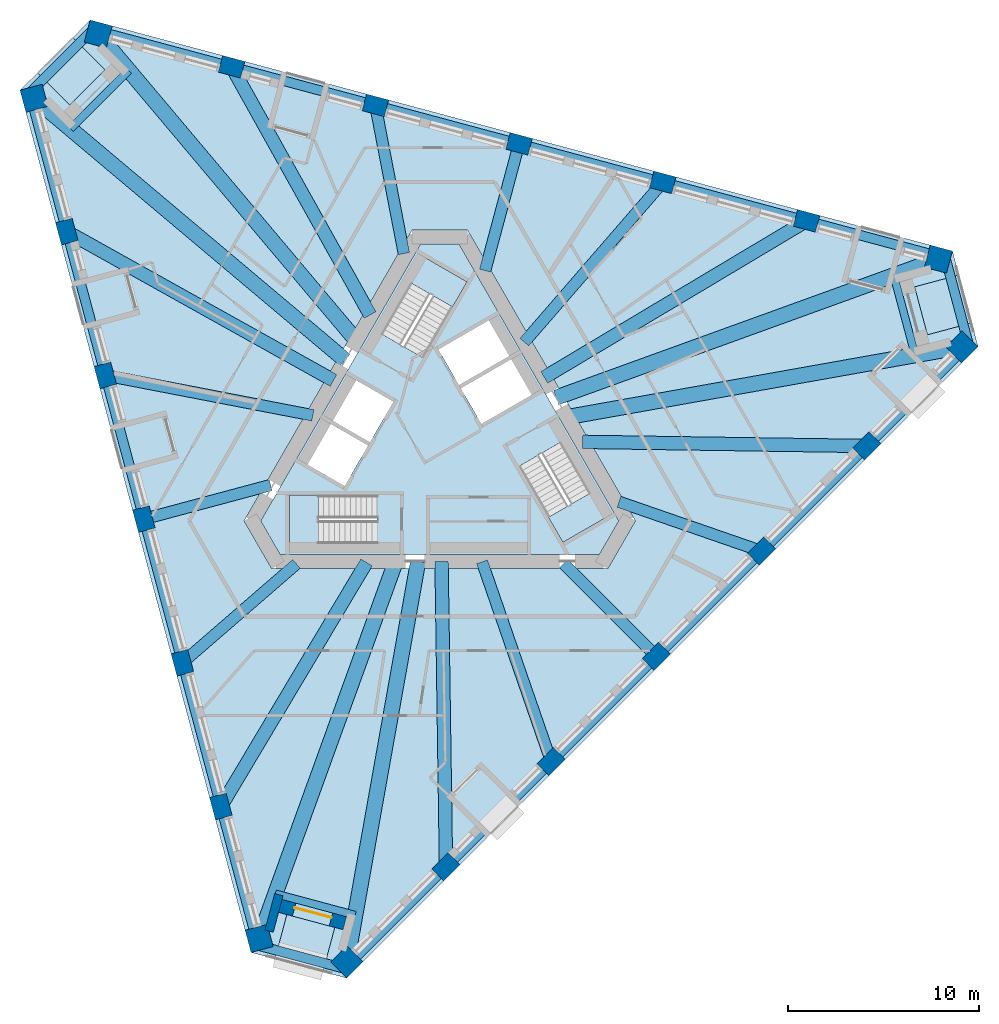
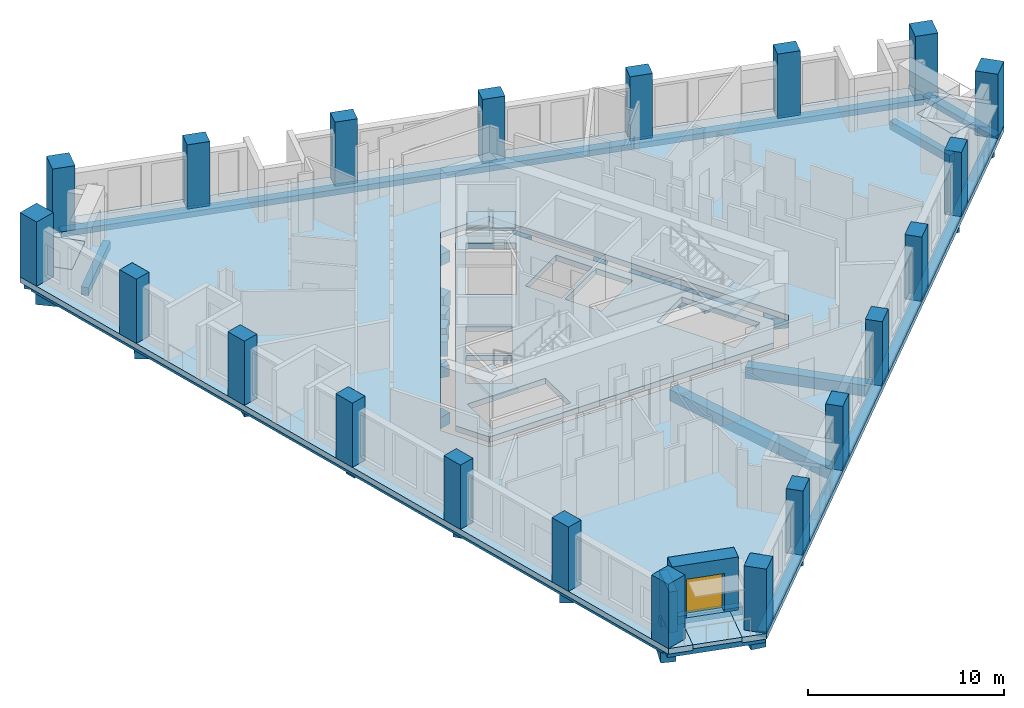
# One storey, part 1 of 13: 30 beams, 21 columns, 8 slabs, 2 walls, 1 door, 1 opening, 3 elements without a shape of their own.
"""IFC4 building model written with IfcOpenShell, lengths in metres."""

from ifc_helpers import new_model, si_unit, direction, frame, frame_2d, origin, origin_2d, place, context, subcontext, project, spatial, polyline, rectangle, outline, extrude, material, layer, layer_set, material_profile, profile_set, type_object, element, fill, aggregate, save


model = new_model("IFC4")

# Units and contexts
model_context = context("Model", 3, precision=1e-05, world=origin(), true_north=direction((0.0, 1.0)))
body_context = subcontext(model_context, "Body", "Model", "MODEL_VIEW")
ifc_project = project(units=[si_unit("LENGTHUNIT", "METRE"), si_unit("AREAUNIT", "SQUARE_METRE"), si_unit("VOLUMEUNIT", "CUBIC_METRE"), si_unit("PLANEANGLEUNIT", "RADIAN"), si_unit("MASSUNIT", "GRAM", prefix="KILO")], contexts=[model_context])

# Site, building, storey
site_placement = place(None, origin())
site = spatial("IfcSite", under=ifc_project, at=site_placement, CompositionType="ELEMENT")
building_placement = place(site_placement, origin())
building = spatial("IfcBuilding", under=site, at=building_placement, Name="Tramontana Tower", CompositionType="ELEMENT")
storey_placement = place(building_placement, frame((0.0, 0.0, 228.0)))
storey = spatial("IfcBuildingStorey", under=building, at=storey_placement, Name="L53", CompositionType="ELEMENT", Elevation=228.0)

# Columns
ifc_material_1 = material(Name="Concrete 55 MPa", Category="concrete")
ifc_material_profile_1 = material_profile(ifc_material_1, rectangle(XDim=1.199951171875, YDim=1.199951171875, at=origin_2d()), Name="Mega column 1200X1200 55 MPa")
ifc_profile_set_1 = profile_set([ifc_material_profile_1], Name="Concrete 55 MPa")
column_type_1 = type_object("IfcColumnType", Name="Mega column 1200X1200 55 MPa", PredefinedType="COLUMN", material=ifc_profile_set_1)
for number, where, z_axis, x_axis, name in (
    (1, (-21.2548828125, 17.89111328125, 0.0), (0.0, 0.0, 1.0), (0.258819045103, -0.965925826289, 0.0), "Mega column C5K1 L53"),
    (2, (-9.461669921875, -26.12158203125, 0.0), (0.0, 0.0, 1.0), (0.258819045103, -0.965925826289, 0.0), "Mega column C5K2 L53"),
    (3, (-4.86669921875, -27.352783203125, 0.0), (0.0, 0.0, 1.0), (0.707106781187, 0.707106781187, 0.0), "Mega column C5K3 L53"),
    (4, (27.352783203125, 4.86669921875, 0.0), (0.0, 0.0, 1.0), (0.707106781187, 0.707106781187, 0.0), "Mega column C5K4 L53"),
    (5, (26.12158203125, 9.461669921875, 0.0), (0.0, 0.0, 1.0), (-0.965925826289, 0.258819045103, 0.0), "Mega column C5K5 L53"),
    (6, (-17.89111328125, 21.2548828125, 0.0), (0.0, 0.0, 1.0), (-0.965925826289, 0.258819045103, 0.0), "Mega column C5K6 L53"),
):
    element("IfcColumn", number, at=place(storey_placement, frame(where, z_axis=z_axis, x_axis=x_axis)), inside=storey, type_object=column_type_1, Name=name, PredefinedType="COLUMN", context=body_context, shape_type="SweptSolid", body=[
        extrude(rectangle(XDim=1.199951171875, YDim=1.199951171875, at=origin_2d()), origin(), (0.0, 0.0, 1.0), 4.0),
    ])
ifc_material_2 = material(Name="Concrete 55 MPa", Category="concrete")
ifc_material_profile_2 = material_profile(ifc_material_2, rectangle(XDim=1.199951171875, YDim=0.89990234375, at=origin_2d()), Name="Pier column 1200X900 55 MPa")
ifc_profile_set_2 = profile_set([ifc_material_profile_2], Name="Concrete 55 MPa")
column_type_2 = type_object("IfcColumnType", Name="Pier column 1200X900 55 MPa", PredefinedType="COLUMN", material=ifc_profile_set_2)
for number, where, z_axis, x_axis, name in (
    (7, (-19.53759765625, 10.9033203125, 0.0), (0.0, 0.0, 1.0), (0.258819045103, -0.965925826289, 0.0), "Pier column C5F01 L53"),
    (8, (-17.5205078125, 3.37451171875, 0.0), (0.0, 0.0, 1.0), (0.258819045103, -0.965925826289, 0.0), "Pier column C5F02 L53"),
    (9, (-15.503173828125, -4.154052734375, 0.0), (0.0, 0.0, 1.0), (0.258819045103, -0.965925826289, 0.0), "Pier column C5F03 L53"),
    (10, (-13.48583984375, -11.6826171875, 0.0), (0.0, 0.0, 1.0), (0.258819045103, -0.965925826289, 0.0), "Pier column C5F04 L53"),
    (11, (-11.468505859375, -19.21142578125, 0.0), (0.0, 0.0, 1.0), (0.258819045103, -0.965925826289, 0.0), "Pier column C5F05 L53"),
    (12, (0.326416015625, -22.371826171875, 0.0), (0.0, 0.0, 1.0), (0.707106781187, 0.707106781187, 0.0), "Pier column C5F06 L53"),
    (13, (5.837646484375, -16.8603515625, 0.0), (0.0, 0.0, 1.0), (0.707106781187, 0.707106781187, 0.0), "Pier column C5F07 L53"),
    (14, (11.34912109375, -11.34912109375, 0.0), (0.0, 0.0, 1.0), (0.707106781187, 0.707106781187, 0.0), "Pier column C5F08 L53"),
    (15, (16.8603515625, -5.837646484375, 0.0), (0.0, 0.0, 1.0), (0.707106781187, 0.707106781187, 0.0), "Pier column C5F09 L53"),
    (16, (22.371826171875, -0.326416015625, 0.0), (0.0, 0.0, 1.0), (0.707106781187, 0.707106781187, 0.0), "Pier column C5F10 L53"),
    (17, (19.21142578125, 11.468505859375, 0.0), (0.0, 0.0, 1.0), (-0.965925826289, 0.258819045103, 0.0), "Pier column C5F11 L53"),
    (18, (11.6826171875, 13.48583984375, 0.0), (0.0, 0.0, 1.0), (-0.965925826289, 0.258819045103, 0.0), "Pier column C5F12 L53"),
    (19, (4.154052734375, 15.503173828125, 0.0), (0.0, 0.0, 1.0), (-0.965925826289, 0.258819045103, 0.0), "Pier column C5F13 L53"),
    (20, (-3.37451171875, 17.5205078125, 0.0), (0.0, 0.0, 1.0), (-0.965925826289, 0.258819045103, 0.0), "Pier column C5F14 L53"),
    (21, (-10.9033203125, 19.53759765625, 0.0), (0.0, 0.0, 1.0), (-0.965925826289, 0.258819045103, 0.0), "Pier column C5F15 L53"),
):
    element("IfcColumn", number, at=place(storey_placement, frame(where, z_axis=z_axis, x_axis=x_axis)), inside=storey, type_object=column_type_2, Name=name, PredefinedType="COLUMN", context=body_context, shape_type="SweptSolid", body=[
        extrude(rectangle(XDim=1.199951171875, YDim=0.89990234375, at=origin_2d()), origin(), (0.0, 0.0, 1.0), 4.0),
    ])

# Beams
ifc_material_3 = material(Name="Concrete 40 MPa", Category="concrete")
ifc_material_profile_3 = material_profile(ifc_material_3, rectangle(XDim=0.5, YDim=0.35009765625, at=origin_2d()), Name="RC EDGE BEAM 500X350 40 MPa")
ifc_profile_set_3 = profile_set([ifc_material_profile_3], Name="Concrete 40 MPa")
beam_type_1 = type_object("IfcBeamType", Name="RC EDGE BEAM 500X350 40 MPa", PredefinedType="SPANDREL", material=ifc_profile_set_3)
beam_1_placement = place(storey_placement, frame((-21.399658203125, 17.852294921875, -0.52490234375), z_axis=(0.25882000186, -0.965925569926, 0.0), x_axis=(0.965925569926, 0.25882000186, 0.0)))
element("IfcBeam", 22, at=beam_1_placement, inside=storey, type_object=beam_type_1, Name="Spandrel beam S0 L53", PredefinedType="SPANDREL", context=body_context, shape_type="SweptSolid", body=[
    extrude(rectangle(XDim=0.5, YDim=0.35009765625, at=origin_2d()), origin(), (0.0, 0.0, 1.0), 45.565185546875),
])
beam_2_placement = place(storey_placement, frame((-4.7607421875, -27.458984375, -0.52490234375), z_axis=(0.707106781187, 0.707106781187, 0.0), x_axis=(-0.707106781187, 0.707106781187, 0.0)))
element("IfcBeam", 23, at=beam_2_placement, inside=storey, type_object=beam_type_1, Name="Spandrel beam S1 L53", PredefinedType="SPANDREL", context=body_context, shape_type="SweptSolid", body=[
    extrude(rectangle(XDim=0.5, YDim=0.35009765625, at=origin_2d()), origin(), (0.0, 0.0, 1.0), 45.565673828125),
])
beam_3_placement = place(storey_placement, frame((26.160400390625, 9.6064453125, -0.52490234375), z_axis=(-0.965925569926, 0.25882000186, 0.0), x_axis=(-0.25882000186, -0.965925569926, 0.0)))
element("IfcBeam", 24, at=beam_3_placement, inside=storey, type_object=beam_type_1, Name="Spandrel beam S2 L53", PredefinedType="SPANDREL", context=body_context, shape_type="SweptSolid", body=[
    extrude(rectangle(XDim=0.5, YDim=0.35009765625, at=origin_2d()), origin(), (0.0, 0.0, 1.0), 45.565185546875),
])
beam_4_placement = place(storey_placement, frame((-17.997314453125, 21.67138671875, -0.52490234375), z_axis=(-0.707106781187, -0.707106781187, 0.0), x_axis=(0.707106781187, -0.707106781187, 0.0)))
element("IfcBeam", 25, at=beam_4_placement, inside=storey, type_object=beam_type_1, Name="Spandrel beam K0 L53", PredefinedType="SPANDREL", context=body_context, shape_type="SweptSolid", body=[
    extrude(rectangle(XDim=0.5, YDim=0.35009765625, at=origin_2d()), origin(), (0.0, 0.0, 1.0), 5.19580078125),
])
for number, where, z_axis, x_axis, name in (
    (26, (-9.769287109375, -26.421875, -0.52490234375), (0.965931693355, -0.258797147923, 0.0), (0.258797147923, 0.965931693355, 0.0), "Spandrel beam K1 L53"),
    (27, (27.7666015625, 4.750244140625, -0.52490234375), (-0.258797147923, 0.965931693355, 0.0), (-0.965931693355, -0.258797147923, 0.0), "Spandrel beam K2 L53"),
):
    element("IfcBeam", number, at=place(storey_placement, frame(where, z_axis=z_axis, x_axis=x_axis)), inside=storey, type_object=beam_type_1, Name=name, PredefinedType="SPANDREL", context=body_context, shape_type="SweptSolid", body=[
        extrude(rectangle(XDim=0.5, YDim=0.35009765625, at=origin_2d()), origin(), (0.0, 0.0, 1.0), 5.196044921875),
    ])
ifc_material_4 = material(Name="Concrete 40 MPa", Category="concrete")
ifc_material_profile_4 = material_profile(ifc_material_4, rectangle(XDim=0.60009765625, YDim=0.699951171875, at=origin_2d()), Name="RC GIRDER 600X700 40 MPa")
ifc_profile_set_4 = profile_set([ifc_material_profile_4], Name="Concrete 40 MPa")
beam_type_2 = type_object("IfcBeamType", Name="RC GIRDER 600X700 40 MPa", PredefinedType="BEAM", material=ifc_profile_set_4)
beam_5_placement = place(storey_placement, frame((-17.5205078125, 3.37451171875, -0.699951171875), z_axis=(0.981952314937, -0.189128663056, 0.0), x_axis=(0.189128663056, 0.981952314937, 0.0)))
element("IfcBeam", 28, at=beam_5_placement, inside=storey, type_object=beam_type_2, Name="Radial girder C5F02 L53", PredefinedType="BEAM", context=body_context, shape_type="SweptSolid", body=[
    extrude(rectangle(XDim=0.60009765625, YDim=0.699951171875, at=origin_2d()), origin(), (0.0, 0.0, 1.0), 11.074462890625),
])
beam_6_placement = place(storey_placement, frame((-15.503173828125, -4.154052734375, -0.699951171875), z_axis=(0.96592381373, 0.258826555959, 0.0), x_axis=(-0.258826555959, 0.96592381373, 0.0)))
element("IfcBeam", 29, at=beam_6_placement, inside=storey, type_object=beam_type_2, Name="Radial girder C5F03 L53", PredefinedType="BEAM", context=body_context, shape_type="SweptSolid", body=[
    extrude(rectangle(XDim=0.60009765625, YDim=0.699951171875, at=origin_2d()), origin(), (0.0, 0.0, 1.0), 6.879150390625),
])
beam_7_placement = place(storey_placement, frame((-13.48583984375, -11.6826171875, -0.699951171875), z_axis=(0.755833701345, 0.654763633619, 0.0), x_axis=(-0.654763633619, 0.755833701345, 0.0)))
element("IfcBeam", 30, at=beam_7_placement, inside=storey, type_object=beam_type_2, Name="Radial girder C5F04 L53", PredefinedType="BEAM", context=body_context, shape_type="SweptSolid", body=[
    extrude(rectangle(XDim=0.60009765625, YDim=0.699951171875, at=origin_2d()), origin(), (0.0, 0.0, 1.0), 7.908447265625),
])
beam_8_placement = place(storey_placement, frame((5.837646484375, -16.8603515625, -0.699951171875), z_axis=(-0.327178709265, 0.944962481903, 0.0), x_axis=(-0.944962481903, -0.327178709265, 0.0)))
element("IfcBeam", 31, at=beam_8_placement, inside=storey, type_object=beam_type_2, Name="Radial girder C5F07 L53", PredefinedType="BEAM", context=body_context, shape_type="SweptSolid", body=[
    extrude(rectangle(XDim=0.60009765625, YDim=0.699951171875, at=origin_2d()), origin(), (0.0, 0.0, 1.0), 11.074462890625),
])
beam_9_placement = place(storey_placement, frame((11.34912109375, -11.34912109375, -0.699951171875), z_axis=(-0.707106781187, 0.707106781187, 0.0), x_axis=(-0.707106781187, -0.707106781187, 0.0)))
element("IfcBeam", 32, at=beam_9_placement, inside=storey, type_object=beam_type_2, Name="Radial girder C5F08 L53", PredefinedType="BEAM", context=body_context, shape_type="SweptSolid", body=[
    extrude(rectangle(XDim=0.60009765625, YDim=0.699951171875, at=origin_2d()), origin(), (0.0, 0.0, 1.0), 6.879150390625),
])
beam_10_placement = place(storey_placement, frame((16.8603515625, -5.837646484375, -0.699951171875), z_axis=(-0.944964783829, 0.327172060732, 0.0), x_axis=(-0.327172060732, -0.944964783829, 0.0)))
element("IfcBeam", 33, at=beam_10_placement, inside=storey, type_object=beam_type_2, Name="Radial girder C5F09 L53", PredefinedType="BEAM", context=body_context, shape_type="SweptSolid", body=[
    extrude(rectangle(XDim=0.60009765625, YDim=0.699951171875, at=origin_2d()), origin(), (0.0, 0.0, 1.0), 7.908447265625),
])
beam_11_placement = place(storey_placement, frame((11.6826171875, 13.48583984375, -0.699951171875), z_axis=(-0.654758463957, -0.755838179689, 0.0), x_axis=(0.755838179689, -0.654758463957, 0.0)))
element("IfcBeam", 34, at=beam_11_placement, inside=storey, type_object=beam_type_2, Name="Radial girder C5F12 L53", PredefinedType="BEAM", context=body_context, shape_type="SweptSolid", body=[
    extrude(rectangle(XDim=0.60009765625, YDim=0.699951171875, at=origin_2d()), origin(), (0.0, 0.0, 1.0), 11.07421875),
])
beam_12_placement = place(storey_placement, frame((4.154052734375, 15.503173828125, -0.699951171875), z_axis=(-0.258826555959, -0.96592381373, 0.0), x_axis=(0.96592381373, -0.258826555959, 0.0)))
element("IfcBeam", 35, at=beam_12_placement, inside=storey, type_object=beam_type_2, Name="Radial girder C5F13 L53", PredefinedType="BEAM", context=body_context, shape_type="SweptSolid", body=[
    extrude(rectangle(XDim=0.60009765625, YDim=0.699951171875, at=origin_2d()), origin(), (0.0, 0.0, 1.0), 6.879150390625),
])
beam_13_placement = place(storey_placement, frame((-3.37451171875, 17.5205078125, -0.699951171875), z_axis=(0.189111876718, -0.981955547917, 0.0), x_axis=(0.981955547917, 0.189111876718, 0.0)))
element("IfcBeam", 36, at=beam_13_placement, inside=storey, type_object=beam_type_2, Name="Radial girder C5F14 L53", PredefinedType="BEAM", context=body_context, shape_type="SweptSolid", body=[
    extrude(rectangle(XDim=0.60009765625, YDim=0.699951171875, at=origin_2d()), origin(), (0.0, 0.0, 1.0), 7.90869140625),
])
ifc_material_5 = material(Name="Concrete 40 MPa", Category="concrete")
ifc_material_profile_5 = material_profile(ifc_material_5, rectangle(XDim=0.699951171875, YDim=0.89990234375, at=origin_2d()), Name="RC GIRDER 700X900 40 MPa")
ifc_profile_set_5 = profile_set([ifc_material_profile_5], Name="Concrete 40 MPa")
beam_type_3 = type_object("IfcBeamType", Name="RC GIRDER 700X900 40 MPa", PredefinedType="BEAM", material=ifc_profile_set_5)
beam_14_placement = place(storey_placement, frame((-19.53759765625, 10.9033203125, -0.800048828125), z_axis=(0.873222771741, -0.487321239956, 0.0), x_axis=(0.487321239956, 0.873222771741, 0.0)))
element("IfcBeam", 37, at=beam_14_placement, inside=storey, type_object=beam_type_3, Name="Radial girder C5F01 L53", PredefinedType="BEAM", context=body_context, shape_type="SweptSolid", body=[
    extrude(rectangle(XDim=0.699951171875, YDim=0.89990234375, at=origin_2d()), origin(), (0.0, 0.0, 1.0), 15.99853515625),
])
beam_15_placement = place(storey_placement, frame((-11.468505859375, -19.211181640625, -0.800048828125), z_axis=(0.512577256937, 0.858641109935, 0.0), x_axis=(-0.858641109935, 0.512577256937, 0.0)))
element("IfcBeam", 38, at=beam_15_placement, inside=storey, type_object=beam_type_3, Name="Radial girder C5F05 L53", PredefinedType="BEAM", context=body_context, shape_type="SweptSolid", body=[
    extrude(rectangle(XDim=0.699951171875, YDim=0.89990234375, at=origin_2d()), origin(), (0.0, 0.0, 1.0), 14.8876953125),
])
beam_16_placement = place(storey_placement, frame((0.326416015625, -22.371826171875, -0.800048828125), z_axis=(-0.014588743818, 0.999893578614, 0.0), x_axis=(-0.999893578614, -0.014588743818, 0.0)))
element("IfcBeam", 39, at=beam_16_placement, inside=storey, type_object=beam_type_3, Name="Radial girder C5F06 L53", PredefinedType="BEAM", context=body_context, shape_type="SweptSolid", body=[
    extrude(rectangle(XDim=0.699951171875, YDim=0.89990234375, at=origin_2d()), origin(), (0.0, 0.0, 1.0), 15.99853515625),
])
beam_17_placement = place(storey_placement, frame((22.371826171875, -0.326416015625, -0.800048828125), z_axis=(-0.999893489786, 0.01459483068, 0.0), x_axis=(-0.01459483068, -0.999893489786, 0.0)))
element("IfcBeam", 40, at=beam_17_placement, inside=storey, type_object=beam_type_3, Name="Radial girder C5F10 L53", PredefinedType="BEAM", context=body_context, shape_type="SweptSolid", body=[
    extrude(rectangle(XDim=0.699951171875, YDim=0.89990234375, at=origin_2d()), origin(), (0.0, 0.0, 1.0), 14.8876953125),
])
beam_18_placement = place(storey_placement, frame((19.211181640625, 11.468505859375, -0.800048828125), z_axis=(-0.858639355408, -0.512580196012, 0.0), x_axis=(0.512580196012, -0.858639355408, 0.0)))
element("IfcBeam", 41, at=beam_18_placement, inside=storey, type_object=beam_type_3, Name="Radial girder C5F11 L53", PredefinedType="BEAM", context=body_context, shape_type="SweptSolid", body=[
    extrude(rectangle(XDim=0.699951171875, YDim=0.89990234375, at=origin_2d()), origin(), (0.0, 0.0, 1.0), 15.998291015625),
])
beam_19_placement = place(storey_placement, frame((-10.9033203125, 19.53759765625, -0.800048828125), z_axis=(0.487317016809, -0.873225128548, 0.0), x_axis=(0.873225128548, 0.487317016809, 0.0)))
element("IfcBeam", 42, at=beam_19_placement, inside=storey, type_object=beam_type_3, Name="Radial girder C5F15 L53", PredefinedType="BEAM", context=body_context, shape_type="SweptSolid", body=[
    extrude(rectangle(XDim=0.699951171875, YDim=0.89990234375, at=origin_2d()), origin(), (0.0, 0.0, 1.0), 14.887939453125),
])
ifc_material_6 = material(Name="Concrete 40 MPa", Category="concrete")
ifc_material_profile_6 = material_profile(ifc_material_6, rectangle(XDim=0.800048828125, YDim=1.10009765625, at=origin_2d()), Name="RC GIRDER 800X1100 40 MPa")
ifc_profile_set_6 = profile_set([ifc_material_profile_6], Name="Concrete 40 MPa")
beam_type_4 = type_object("IfcBeamType", Name="RC GIRDER 800X1100 40 MPa", PredefinedType="BEAM", material=ifc_profile_set_6)
beam_20_placement = place(storey_placement, frame((-21.2548828125, 17.89111328125, -0.89990234375), z_axis=(0.765048789766, -0.643972320273, 0.0), x_axis=(0.643972320273, 0.765048789766, 0.0)))
element("IfcBeam", 43, at=beam_20_placement, inside=storey, type_object=beam_type_4, Name="Radial girder C5K1 L53", PredefinedType="BEAM", context=body_context, shape_type="SweptSolid", body=[
    extrude(rectangle(XDim=0.800048828125, YDim=1.10009765625, at=origin_2d()), origin(), (0.0, 0.0, 1.0), 21.301513671875),
])
beam_21_placement = place(storey_placement, frame((-9.461669921875, -26.12158203125, -0.89990234375), z_axis=(0.340569160695, 0.94021946735, 0.0), x_axis=(-0.94021946735, 0.340569160695, 0.0)))
element("IfcBeam", 44, at=beam_21_placement, inside=storey, type_object=beam_type_4, Name="Radial girder C5K2 L53", PredefinedType="BEAM", context=body_context, shape_type="SweptSolid", body=[
    extrude(rectangle(XDim=0.800048828125, YDim=1.10009765625, at=origin_2d()), origin(), (0.0, 0.0, 1.0), 20.978271484375),
])
beam_22_placement = place(storey_placement, frame((-4.86669921875, -27.352783203125, -0.89990234375), z_axis=(0.175174555483, 0.984537391424, 0.0), x_axis=(-0.984537391424, 0.175174555483, 0.0)))
element("IfcBeam", 45, at=beam_22_placement, inside=storey, type_object=beam_type_4, Name="Radial girder C5K3 L53", PredefinedType="BEAM", context=body_context, shape_type="SweptSolid", body=[
    extrude(rectangle(XDim=0.800048828125, YDim=1.10009765625, at=origin_2d()), origin(), (0.0, 0.0, 1.0), 21.30126953125),
])
beam_23_placement = place(storey_placement, frame((27.352783203125, 4.86669921875, -0.89990234375), z_axis=(-0.984537718073, -0.175172719597, 0.0), x_axis=(0.175172719597, -0.984537718073, 0.0)))
element("IfcBeam", 46, at=beam_23_placement, inside=storey, type_object=beam_type_4, Name="Radial girder C5K4 L53", PredefinedType="BEAM", context=body_context, shape_type="SweptSolid", body=[
    extrude(rectangle(XDim=0.800048828125, YDim=1.10009765625, at=origin_2d()), origin(), (0.0, 0.0, 1.0), 20.978271484375),
])
beam_24_placement = place(storey_placement, frame((26.12158203125, 9.461669921875, -0.89990234375), z_axis=(-0.940223018737, -0.340559356113, 0.0), x_axis=(0.340559356113, -0.940223018737, 0.0)))
element("IfcBeam", 47, at=beam_24_placement, inside=storey, type_object=beam_type_4, Name="Radial girder C5K5 L53", PredefinedType="BEAM", context=body_context, shape_type="SweptSolid", body=[
    extrude(rectangle(XDim=0.800048828125, YDim=1.10009765625, at=origin_2d()), origin(), (0.0, 0.0, 1.0), 21.301513671875),
])
beam_25_placement = place(storey_placement, frame((-17.89111328125, 21.2548828125, -0.89990234375), z_axis=(0.643976971362, -0.765044874733, 0.0), x_axis=(0.765044874733, 0.643976971362, 0.0)))
element("IfcBeam", 48, at=beam_25_placement, inside=storey, type_object=beam_type_4, Name="Radial girder C5K6 L53", PredefinedType="BEAM", context=body_context, shape_type="SweptSolid", body=[
    extrude(rectangle(XDim=0.800048828125, YDim=1.10009765625, at=origin_2d()), origin(), (0.0, 0.0, 1.0), 20.978271484375),
])
ifc_material_7 = material(Name="Concrete 40 MPa", Category="concrete")
ifc_material_profile_7 = material_profile(ifc_material_7, rectangle(XDim=0.39990234375, YDim=0.5, at=origin_2d()), Name="RC TRIM BEAM 400X500 40 MPa")
ifc_profile_set_7 = profile_set([ifc_material_profile_7], Name="Concrete 40 MPa")
beam_type_5 = type_object("IfcBeamType", Name="RC TRIM BEAM 400X500 40 MPa", PredefinedType="JOIST", material=ifc_profile_set_7)
beam_26_placement = place(storey_placement, frame((-16.2880859375, 19.35009765625, -0.60009765625), z_axis=(-0.707106781187, -0.707106781187, 0.0), x_axis=(0.707106781187, -0.707106781187, 0.0)))
element("IfcBeam", 49, at=beam_26_placement, inside=storey, type_object=beam_type_5, Name="Trimmer beam K0 L53", PredefinedType="JOIST", context=body_context, shape_type="SweptSolid", body=[
    extrude(rectangle(XDim=0.39990234375, YDim=0.5, at=origin_2d()), origin(), (0.0, 0.0, 1.0), 4.330322265625),
])
for number, where, z_axis, x_axis, name in (
    (50, (-8.61376953125, -23.781005859375, -0.60009765625), (0.965926410656, -0.258816864207, 0.0), (0.258816864207, 0.965926410656, 0.0), "Trimmer beam K1 L53"),
    (51, (24.90185546875, 4.4306640625, -0.60009765625), (-0.258816864207, 0.965926410656, 0.0), (-0.965926410656, -0.258816864207, 0.0), "Trimmer beam K2 L53"),
):
    element("IfcBeam", number, at=place(storey_placement, frame(where, z_axis=z_axis, x_axis=x_axis)), inside=storey, type_object=beam_type_5, Name=name, PredefinedType="JOIST", context=body_context, shape_type="SweptSolid", body=[
        extrude(rectangle(XDim=0.39990234375, YDim=0.5, at=origin_2d()), origin(), (0.0, 0.0, 1.0), 4.33056640625),
    ])

# Slabs
ifc_material_8 = material(Name="Precast concrete 50 MPa", Category="concrete")
ifc_layer_1 = layer(ifc_material_8, 0.25)
ifc_layer_set_1 = layer_set([ifc_layer_1], Name="LT1 Loggia floor tray 250")
slab_type_1 = type_object("IfcSlabType", Name="LT1 Loggia floor tray 250", PredefinedType="FLOOR", material=ifc_layer_set_1)
slab_1_placement = place(storey_placement, frame((0.0, 0.0, -0.25)))
element("IfcSlab", 52, at=slab_1_placement, inside=storey, type_object=slab_type_1, Name="Corner loggia floor L53 K50", PredefinedType="FLOOR", context=body_context, shape_type="SweptSolid", body=[
    extrude(outline(polyline([(-19.2333984375, 21.07177734375), (-17.5361328125, 19.374755859375), (-19.374755859375, 17.5361328125), (-21.07177734375, 19.2333984375), (-19.2333984375, 21.07177734375)])), origin(), (0.0, 0.0, 1.0), 0.25),
])
slab_2_placement = place(storey_placement, frame((0.0, 0.0, -0.25)))
element("IfcSlab", 53, at=slab_2_placement, inside=storey, type_object=slab_type_1, Name="Corner loggia floor L53 K51", PredefinedType="FLOOR", context=body_context, shape_type="SweptSolid", body=[
    extrude(outline(polyline([(-8.632080078125, -27.1923828125), (-8.010986328125, -24.874267578125), (-5.49951171875, -25.547119140625), (-6.12060546875, -27.865234375), (-8.632080078125, -27.1923828125)])), origin(), (0.0, 0.0, 1.0), 0.25),
])
slab_3_placement = place(storey_placement, frame((0.0, 0.0, -0.25)))
element("IfcSlab", 54, at=slab_3_placement, inside=storey, type_object=slab_type_1, Name="Corner loggia floor L53 K52", PredefinedType="FLOOR", context=body_context, shape_type="SweptSolid", body=[
    extrude(outline(polyline([(27.865234375, 6.12060546875), (25.547119140625, 5.49951171875), (24.874267578125, 8.010986328125), (27.1923828125, 8.632080078125), (27.865234375, 6.12060546875)])), origin(), (0.0, 0.0, 1.0), 0.25),
])
ifc_material_9 = material(Name="Concrete 40 MPa", Category="concrete")
ifc_layer_2 = layer(ifc_material_9, 0.35009765625)
ifc_layer_set_2 = layer_set([ifc_layer_2], Name="PT FLAT SLAB 350 40 MPa")
slab_type_2 = type_object("IfcSlabType", Name="PT FLAT SLAB 350 40 MPa", PredefinedType="FLOOR", material=ifc_layer_set_2)
slab_4_placement = place(storey_placement, frame((0.0, 0.0, -0.35009765625)))
element("IfcSlab", 55, at=slab_4_placement, inside=storey, type_object=slab_type_2, Name="Floor slab L53", PredefinedType="FLOOR", context=body_context, shape_type="SweptSolid", body=[
    extrude(outline(polyline([(27.1923828125, 8.632080078125), (24.874267578125, 8.010986328125), (25.547119140625, 5.49951171875), (27.865478515625, 6.12060546875), (28.201416015625, 4.86669921875), (-4.86669921875, -28.201416015625), (-6.12060546875, -27.865478515625), (-5.49951171875, -25.547119140625), (-8.010986328125, -24.874267578125), (-8.632080078125, -27.1923828125), (-9.885986328125, -26.8564453125), (-21.98974609375, 18.3154296875), (-21.07177734375, 19.2333984375), (-19.374755859375, 17.5361328125), (-17.5361328125, 19.374755859375), (-19.2333984375, 21.07177734375), (-18.3154296875, 21.98974609375), (26.8564453125, 9.885986328125), (27.1923828125, 8.632080078125)]), holes=[polyline([(-10.248046875, -4.25), (-8.8046875, -6.75), (8.8046875, -6.75), (10.248046875, -4.25), (1.443359375, 11.0), (-1.443359375, 11.0), (-10.248046875, -4.25)])]), origin(), (0.0, 0.0, 1.0), 0.35009765625),
])
slab_5_placement = place(storey_placement, frame((0.0, 0.0, -0.35009765625)))
element("IfcSlab", 56, at=slab_5_placement, inside=storey, type_object=slab_type_2, Name="Core floor slab L53", PredefinedType="FLOOR", context=body_context, shape_type="SweptSolid", body=[
    extrude(outline(polyline([(9.3818359375, -4.25), (8.37158203125, -6.0), (-8.37158203125, -6.0), (-9.3818359375, -4.25), (-1.010498046875, 10.25), (1.010498046875, 10.25), (9.3818359375, -4.25)]), holes=[polyline([(8.659912109375, -4.099365234375), (6.35986328125, -0.115478515625), (4.151611328125, -1.390625), (6.451416015625, -5.374267578125), (8.659912109375, -4.099365234375)]), polyline([(3.829833984375, 4.2666015625), (1.101806640625, 2.69140625), (2.177001953125, 0.82958984375), (4.90478515625, 2.404541015625), (3.829833984375, 4.2666015625)]), polyline([(2.65478515625, 6.3017578125), (-0.072998046875, 4.726806640625), (1.001953125, 2.86474609375), (3.729736328125, 4.439697265625), (2.65478515625, 6.3017578125)]), polyline([(-0.77978515625, 9.54931640625), (-3.079833984375, 5.565673828125), (-0.87158203125, 4.29052734375), (1.428466796875, 8.2744140625), (-0.77978515625, 9.54931640625)]), polyline([(-5.689697265625, 1.044921875), (-3.65478515625, -0.130126953125), (-2.4296875, 1.99169921875), (-4.46484375, 3.166748046875), (-5.689697265625, 1.044921875)]), polyline([(-3.280029296875, -5.449951171875), (-3.280029296875, -2.89990234375), (-7.8798828125, -2.89990234375), (-7.8798828125, -5.449951171875), (-3.280029296875, -5.449951171875)]), polyline([(-7.014892578125, -1.25), (-4.979736328125, -2.425048828125), (-3.754638671875, -0.30322265625), (-5.789794921875, 0.87158203125), (-7.014892578125, -1.25)])]), origin(), (0.0, 0.0, 1.0), 0.35009765625),
])

# Stair, slab
ifc_material_10 = material(Name="Concrete 40 MPa", Category="concrete")
stair_type = type_object("IfcStairType", Name="EXIT STAIR 24 RISERS", PredefinedType="HALF_TURN_STAIR", material=ifc_material_10)
stair_1_placement = place(storey_placement, origin())
stair_1 = element("IfcStair", 57, at=stair_1_placement, inside=storey, type_object=stair_type, Name="L53 Exit stair ST1", PredefinedType="HALF_TURN_STAIR")
ifc_material_11 = material(Name="Concrete 40 MPa", Category="concrete")
ifc_layer_3 = layer(ifc_material_11, 0.199951171875)
ifc_layer_set_3 = layer_set([ifc_layer_3], Name="STAIR LANDING 200")
slab_type_3 = type_object("IfcSlabType", Name="STAIR LANDING 200", PredefinedType="LANDING", material=ifc_layer_set_3)
slab_6_placement = place(storey_placement, frame((0.0, 0.0, 1.800048828125)))
slab_6 = element("IfcSlab", 58, at=slab_6_placement, type_object=slab_type_3, Name="ST1 landing 1", PredefinedType="LANDING", context=body_context, shape_type="SweptSolid", body=[
    extrude(outline(polyline([(0.66845703125, 6.9580078125), (1.428466796875, 8.274169921875), (-0.77978515625, 9.54931640625), (-1.539794921875, 8.23291015625), (0.66845703125, 6.9580078125)])), origin(), (0.0, 0.0, 1.0), 0.199951171875),
])
aggregate(stair_1, [slab_6])

stair_2_placement = place(storey_placement, origin())
stair_2 = element("IfcStair", 59, at=stair_2_placement, inside=storey, type_object=stair_type, Name="L53 Exit stair ST2", PredefinedType="HALF_TURN_STAIR")
slab_7_placement = place(storey_placement, frame((0.0, 0.0, 1.800048828125)))
slab_7 = element("IfcSlab", 60, at=slab_7_placement, type_object=slab_type_3, Name="ST2 landing 1", PredefinedType="LANDING", context=body_context, shape_type="SweptSolid", body=[
    extrude(outline(polyline([(-6.360107421875, -2.89990234375), (-7.8798828125, -2.89990234375), (-7.8798828125, -5.449951171875), (-6.360107421875, -5.449951171875), (-6.360107421875, -2.89990234375)])), origin(), (0.0, 0.0, 1.0), 0.199951171875),
])
aggregate(stair_2, [slab_7])

stair_3_placement = place(storey_placement, origin())
stair_3 = element("IfcStair", 61, at=stair_3_placement, inside=storey, type_object=stair_type, Name="L53 Exit stair ST3", PredefinedType="HALF_TURN_STAIR")
slab_8_placement = place(storey_placement, frame((0.0, 0.0, 1.800048828125)))
slab_8 = element("IfcSlab", 62, at=slab_8_placement, type_object=slab_type_3, Name="ST3 landing 1", PredefinedType="LANDING", context=body_context, shape_type="SweptSolid", body=[
    extrude(outline(polyline([(5.69140625, -4.057861328125), (6.451416015625, -5.374267578125), (8.659912109375, -4.099365234375), (7.89990234375, -2.782958984375), (5.69140625, -4.057861328125)])), origin(), (0.0, 0.0, 1.0), 0.199951171875),
])
aggregate(stair_3, [slab_8])

# Wall
ifc_material_12 = material(Name="Precast concrete 60 MPa", Category="concrete")
ifc_layer_4 = layer(ifc_material_12, 0.449951171875)
ifc_layer_set_4 = layer_set([ifc_layer_4], Name="Precast concrete 60 MPa, 450 mm")
wall_type_1 = type_object("IfcWallType", Name="EW1 Stone-faced precast wall 450", PredefinedType="SOLIDWALL", material=ifc_layer_set_4)
wall_1_placement = place(storey_placement, frame((-8.942138671875, -25.741943359375, 0.0), z_axis=(0.0, 0.0, 1.0), x_axis=(0.258783354109, 0.965935388955, 0.0)))
element("IfcWall", 63, at=wall_1_placement, inside=storey, type_object=wall_type_1, Name="Corner loggia side wall L53 K51r", PredefinedType="SOLIDWALL", context=body_context, shape_type="SweptSolid", body=[
    extrude(rectangle(XDim=1.979248046875, YDim=0.449951171875, at=frame_2d((0.98974609375, 0.0))), origin(), (0.0, 0.0, 1.0), 2.550048828125),
])

# Wall, opening, door
ifc_material_13 = material(Name="Precast concrete 60 MPa", Category="concrete")
ifc_layer_5 = layer(ifc_material_13, 0.89990234375)
ifc_layer_set_5 = layer_set([ifc_layer_5], Name="EW2 Stone-faced corner loggia wall 900")
wall_type_2 = type_object("IfcWallType", Name="EW2 Stone-faced corner loggia wall 900", PredefinedType="SOLIDWALL", material=ifc_layer_set_5)
wall_2_placement = place(storey_placement, frame((-4.9482421875, -25.22900390625, 0.0), z_axis=(0.0, 0.0, 1.0), x_axis=(-0.965918160473, 0.258847652622, 0.0)))
wall_2 = element("IfcWall", 64, at=wall_2_placement, inside=storey, type_object=wall_type_2, Name="Corner loggia wall L53 K51", PredefinedType="SOLIDWALL", context=body_context, shape_type="SweptSolid", body=[
    extrude(rectangle(XDim=3.500244140625, YDim=0.89990234375, at=frame_2d((1.75, 0.0))), origin(), (0.0, 0.0, 1.0), 3.300048828125),
])
opening_placement = place(wall_2_placement, frame((0.75, 0.0, 0.0)))
opening = element("IfcOpeningElement", 65, at=opening_placement, cuts=wall_2, Name="Opening BD-51C", PredefinedType="OPENING", context=body_context, shape_type="SweptSolid", body=[
    extrude(rectangle(XDim=2.0, YDim=2.39990234375, at=frame_2d((1.0, 1.199951171875))), frame((0.0, 0.4599609375, 0.0), z_axis=(0.0, -1.0, 0.0), x_axis=(1.0, 0.0, 0.0)), (0.0, 0.0, 1.0), 0.919921875),
])
ifc_material_14 = material(Name="Aluminum frame, double glazing unit", Category="aluminium")
door_type = type_object("IfcDoorType", Name="BC1 Sliding door 2 x 2.4", OperationType="SLIDING_TO_LEFT", PredefinedType="DOOR", material=ifc_material_14)
door_placement = place(opening_placement, origin())
door = element("IfcDoor", 66, at=door_placement, inside=storey, type_object=door_type, Name="Corner loggia door L53 K51", OperationType="SLIDING_TO_LEFT", OverallHeight=2.39990234375, OverallWidth=2.0, PredefinedType="DOOR", context=body_context, shape_type="SweptSolid", body=[
    extrude(rectangle(XDim=2.0, YDim=2.39990234375, at=frame_2d((1.0, 1.199951171875))), frame((0.0, 0.02490234375, 0.0), z_axis=(0.0, -1.0, 0.0), x_axis=(1.0, 0.0, 0.0)), (0.0, 0.0, 1.0), 0.050048828125),
])
fill(opening, door)

save(model, "model.ifc")
